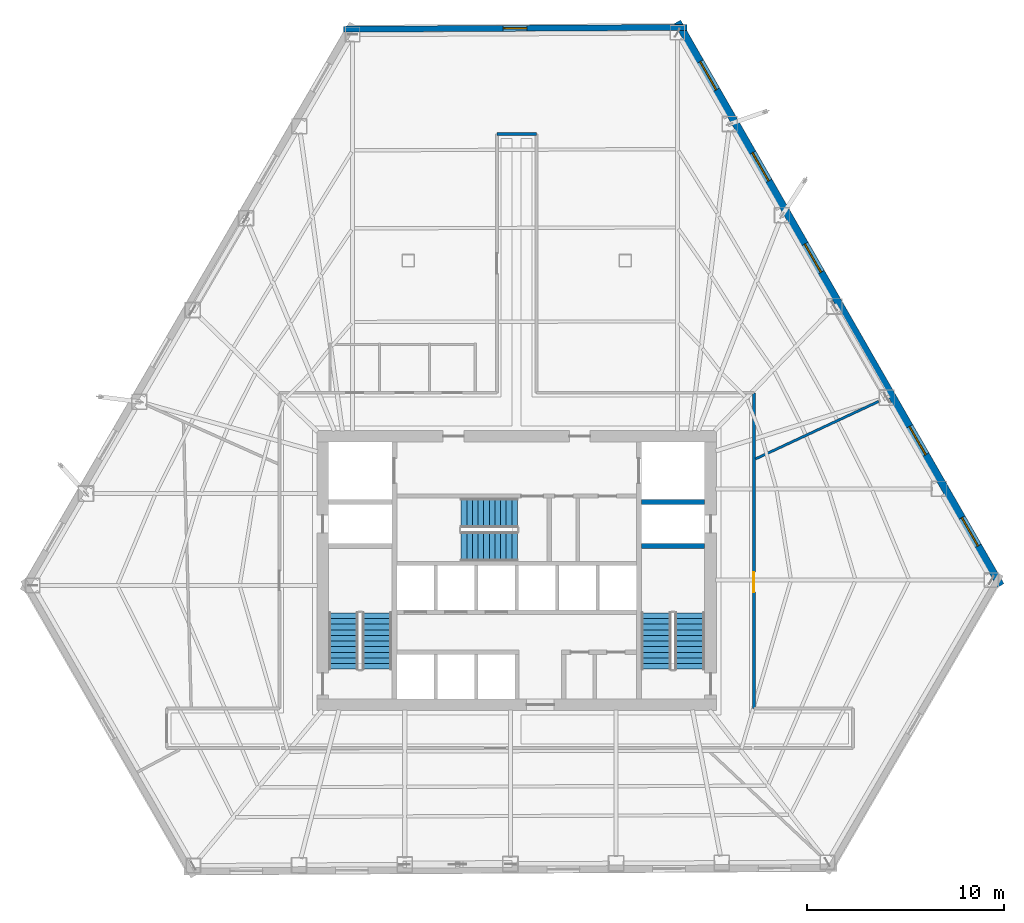
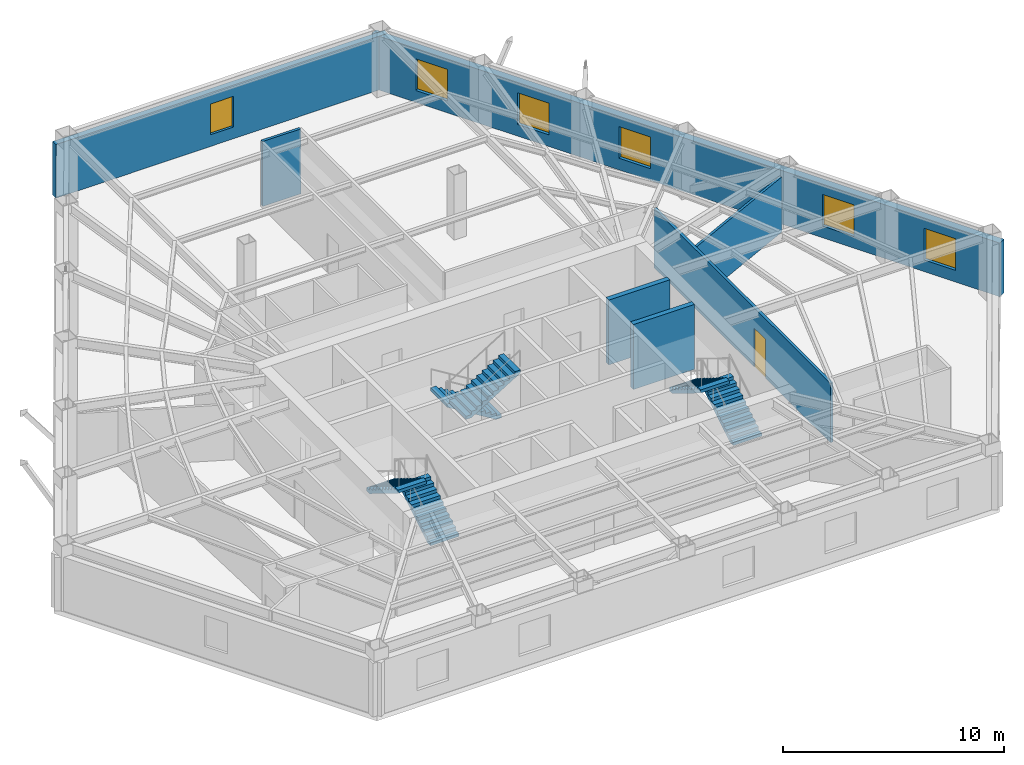
# One storey, part 10 of 12: 7 walls, 6 stair flights, 6 windows, 1 door, 7 openings, 3 elements without a shape of their own.
"""IFC4 building model written with IfcOpenShell, lengths in metres."""

from ifc_helpers import new_model, si_unit, direction, frame, frame_2d, origin, place, context, subcontext, project, spatial, polyline, rectangle, outline, extrude, material, layer, layer_set, type_object, element, fill, aggregate, save


model = new_model("IFC4")

# Units and contexts
model_context = context("Model", 3, precision=1e-05, world=origin(), true_north=direction((0.0, 1.0)))
body_context = subcontext(model_context, "Body", "Model", "MODEL_VIEW")
ifc_project = project(units=[si_unit("LENGTHUNIT", "METRE"), si_unit("AREAUNIT", "SQUARE_METRE"), si_unit("VOLUMEUNIT", "CUBIC_METRE"), si_unit("PLANEANGLEUNIT", "RADIAN"), si_unit("MASSUNIT", "GRAM", prefix="KILO")], contexts=[model_context])

# Site, building, storey
site_placement = place(None, origin())
site = spatial("IfcSite", under=ifc_project, at=site_placement, CompositionType="ELEMENT")
building_placement = place(site_placement, origin())
building = spatial("IfcBuilding", under=site, at=building_placement, Name="Kavelnor Concourse Tower", CompositionType="ELEMENT")
storey_placement = place(building_placement, frame((0.0, 0.0, 6.0)))
storey = spatial("IfcBuildingStorey", under=building, at=storey_placement, Name="L01", CompositionType="ELEMENT", Elevation=6.0)

# Wall, opening, window
ifc_material_1 = material(Name="Buff ironspot clay face brick masonry", Category="masonry")
ifc_layer_1 = layer(ifc_material_1, 0.300048828125, Name="Buff ironspot clay face brick masonry")
ifc_layer_set_1 = layer_set([ifc_layer_1], Name="Buff ironspot clay face brick masonry")
wall_type_1 = type_object("IfcWallType", Name="WL-EXT-BUFF-BRICK-FOLD-300", PredefinedType="STANDARD", material=ifc_layer_set_1)
wall_1_placement = place(storey_placement, frame((29.218505859375, 43.516357421875, 0.0), z_axis=(0.0, 0.0, 1.0), x_axis=(0.999985189192, 0.005442554299, 0.0)))
wall_1 = element("IfcWall", 1, at=wall_1_placement, inside=storey, type_object=wall_type_1, Name="L01 Exterior Brick Facade Wall E0", PredefinedType="STANDARD", context=body_context, shape_type="SweptSolid", body=[
    extrude(rectangle(XDim=17.40478515625, YDim=0.300048828125, at=frame_2d((8.702392578125, 0.0))), origin(), (0.0, 0.0, 1.0), 2.969970703125),
])
opening_1_placement = place(wall_1_placement, frame((8.102294921875, 0.0, 0.64990234375)))
opening_1 = element("IfcOpeningElement", 2, at=opening_1_placement, cuts=wall_1, Name="Opening W-05", PredefinedType="OPENING", context=body_context, shape_type="SweptSolid", body=[
    extrude(rectangle(XDim=1.199951171875, YDim=1.699951171875, at=frame_2d((0.60009765625, 0.85009765625))), frame((0.0, 0.16015625, 0.0), z_axis=(0.0, -1.0, 0.0), x_axis=(1.0, 0.0, 0.0)), (0.0, 0.0, 1.0), 0.320068359375),
])
ifc_material_2 = material(Name="Double low-E argon insulated glazing", Category="glass")
window_type_1 = type_object("IfcWindowType", Name="WIN-FOLD-1200", PartitioningType="SINGLE_PANEL", PredefinedType="WINDOW", material=ifc_material_2)
window_1_placement = place(opening_1_placement, origin())
window_1 = element("IfcWindow", 3, at=window_1_placement, inside=storey, type_object=window_type_1, Name="L01 Chamfer-Fold Facet Window C0", OverallHeight=1.699951171875, OverallWidth=1.199951171875, PartitioningType="SINGLE_PANEL", PredefinedType="WINDOW", context=body_context, shape_type="SweptSolid", body=[
    extrude(rectangle(XDim=1.199951171875, YDim=1.699951171875, at=frame_2d((0.60009765625, 0.85009765625))), frame((0.0, 0.030029296875, 0.0), z_axis=(0.0, -1.0, 0.0), x_axis=(1.0, 0.0, 0.0)), (0.0, 0.0, 1.0), 0.06005859375),
])
fill(opening_1, window_1)

# Wall, openings, windows
ifc_material_3 = material(Name="Red-ochre clay face brick masonry", Category="masonry")
ifc_layer_2 = layer(ifc_material_3, 0.3798828125, Name="Red-ochre clay face brick masonry")
ifc_layer_set_2 = layer_set([ifc_layer_2], Name="Red-ochre clay face brick masonry")
wall_type_2 = type_object("IfcWallType", Name="WL-EXT-RED-BRICK-PIER-380", PredefinedType="STANDARD", material=ifc_layer_set_2)
wall_2_placement = place(storey_placement, frame((46.14013671875, 43.88916015625, 0.0), z_axis=(0.0, 0.0, 1.0), x_axis=(0.497625280375, -0.86739211452, 0.0)))
wall_2 = element("IfcWall", 4, at=wall_2_placement, inside=storey, type_object=wall_type_2, Name="L01 Exterior Brick Facade Wall E5", PredefinedType="STANDARD", context=body_context, shape_type="SweptSolid", body=[
    extrude(rectangle(XDim=32.9208984375, YDim=0.3798828125, at=frame_2d((16.46044921875, 0.0))), origin(), (0.0, 0.0, 1.0), 2.969970703125),
])
opening_2_placement = place(wall_2_placement, frame((28.955078125, 0.0, 0.64990234375)))
opening_2 = element("IfcOpeningElement", 5, at=opening_2_placement, cuts=wall_2, Name="Opening W-01", PredefinedType="OPENING", context=body_context, shape_type="SweptSolid", body=[
    extrude(rectangle(XDim=1.64990234375, YDim=1.75, at=frame_2d((0.824951171875, 0.875))), frame((0.0, 0.199951171875, 0.0), z_axis=(0.0, -1.0, 0.0), x_axis=(1.0, 0.0, 0.0)), (0.0, 0.0, 1.0), 0.39990234375),
])
opening_3_placement = place(wall_2_placement, frame((23.6279296875, 0.0, 0.64990234375)))
opening_3 = element("IfcOpeningElement", 6, at=opening_3_placement, cuts=wall_2, Name="Opening W-01", PredefinedType="OPENING", context=body_context, shape_type="SweptSolid", body=[
    extrude(rectangle(XDim=1.64990234375, YDim=1.75, at=frame_2d((0.824951171875, 0.875))), frame((0.0, 0.199951171875, 0.0), z_axis=(0.0, -1.0, 0.0), x_axis=(1.0, 0.0, 0.0)), (0.0, 0.0, 1.0), 0.39990234375),
])
opening_4_placement = place(wall_2_placement, frame((12.97314453125, 0.0, 0.64990234375)))
opening_4 = element("IfcOpeningElement", 7, at=opening_4_placement, cuts=wall_2, Name="Opening W-01", PredefinedType="OPENING", context=body_context, shape_type="SweptSolid", body=[
    extrude(rectangle(XDim=1.64990234375, YDim=1.75, at=frame_2d((0.824951171875, 0.875))), frame((0.0, 0.199951171875, 0.0), z_axis=(0.0, -1.0, 0.0), x_axis=(1.0, 0.0, 0.0)), (0.0, 0.0, 1.0), 0.39990234375),
])
opening_5_placement = place(wall_2_placement, frame((7.645751953125, 0.0, 0.64990234375)))
opening_5 = element("IfcOpeningElement", 8, at=opening_5_placement, cuts=wall_2, Name="Opening W-01", PredefinedType="OPENING", context=body_context, shape_type="SweptSolid", body=[
    extrude(rectangle(XDim=1.64990234375, YDim=1.75, at=frame_2d((0.824951171875, 0.875))), frame((0.0, 0.199951171875, 0.0), z_axis=(0.0, -1.0, 0.0), x_axis=(1.0, 0.0, 0.0)), (0.0, 0.0, 1.0), 0.39990234375),
])
opening_6_placement = place(wall_2_placement, frame((2.318603515625, 0.0, 0.64990234375)))
opening_6 = element("IfcOpeningElement", 9, at=opening_6_placement, cuts=wall_2, Name="Opening W-01", PredefinedType="OPENING", context=body_context, shape_type="SweptSolid", body=[
    extrude(rectangle(XDim=1.64990234375, YDim=1.75, at=frame_2d((0.824951171875, 0.875))), frame((0.0, 0.199951171875, 0.0), z_axis=(0.0, -1.0, 0.0), x_axis=(1.0, 0.0, 0.0)), (0.0, 0.0, 1.0), 0.39990234375),
])
window_type_2 = type_object("IfcWindowType", Name="WIN-PIER-Z1-1800", PartitioningType="SINGLE_PANEL", PredefinedType="WINDOW", material=ifc_material_2)
window_2_placement = place(opening_2_placement, origin())
window_2 = element("IfcWindow", 10, at=window_2_placement, inside=storey, type_object=window_type_2, Name="L01 Deep-Set Brick Pier Window F2-B0", OverallHeight=1.75, OverallWidth=1.64990234375, PartitioningType="SINGLE_PANEL", PredefinedType="WINDOW", context=body_context, shape_type="SweptSolid", body=[
    extrude(rectangle(XDim=1.64990234375, YDim=1.75, at=frame_2d((0.824951171875, 0.875))), frame((0.0, 0.030029296875, 0.0), z_axis=(0.0, -1.0, 0.0), x_axis=(1.0, 0.0, 0.0)), (0.0, 0.0, 1.0), 0.06005859375),
])
fill(opening_2, window_2)
window_3_placement = place(opening_3_placement, origin())
window_3 = element("IfcWindow", 11, at=window_3_placement, inside=storey, type_object=window_type_2, Name="L01 Deep-Set Brick Pier Window F2-B1", OverallHeight=1.75, OverallWidth=1.64990234375, PartitioningType="SINGLE_PANEL", PredefinedType="WINDOW", context=body_context, shape_type="SweptSolid", body=[
    extrude(rectangle(XDim=1.64990234375, YDim=1.75, at=frame_2d((0.824951171875, 0.875))), frame((0.0, 0.030029296875, 0.0), z_axis=(0.0, -1.0, 0.0), x_axis=(1.0, 0.0, 0.0)), (0.0, 0.0, 1.0), 0.06005859375),
])
fill(opening_3, window_3)
window_4_placement = place(opening_4_placement, origin())
window_4 = element("IfcWindow", 12, at=window_4_placement, inside=storey, type_object=window_type_2, Name="L01 Deep-Set Brick Pier Window F2-B3", OverallHeight=1.75, OverallWidth=1.64990234375, PartitioningType="SINGLE_PANEL", PredefinedType="WINDOW", context=body_context, shape_type="SweptSolid", body=[
    extrude(rectangle(XDim=1.64990234375, YDim=1.75, at=frame_2d((0.824951171875, 0.875))), frame((0.0, 0.030029296875, 0.0), z_axis=(0.0, -1.0, 0.0), x_axis=(1.0, 0.0, 0.0)), (0.0, 0.0, 1.0), 0.06005859375),
])
fill(opening_4, window_4)
window_5_placement = place(opening_5_placement, origin())
window_5 = element("IfcWindow", 13, at=window_5_placement, inside=storey, type_object=window_type_2, Name="L01 Deep-Set Brick Pier Window F2-B4", OverallHeight=1.75, OverallWidth=1.64990234375, PartitioningType="SINGLE_PANEL", PredefinedType="WINDOW", context=body_context, shape_type="SweptSolid", body=[
    extrude(rectangle(XDim=1.64990234375, YDim=1.75, at=frame_2d((0.824951171875, 0.875))), frame((0.0, 0.030029296875, 0.0), z_axis=(0.0, -1.0, 0.0), x_axis=(1.0, 0.0, 0.0)), (0.0, 0.0, 1.0), 0.06005859375),
])
fill(opening_5, window_5)
window_6_placement = place(opening_6_placement, origin())
window_6 = element("IfcWindow", 14, at=window_6_placement, inside=storey, type_object=window_type_2, Name="L01 Deep-Set Brick Pier Window F2-B5", OverallHeight=1.75, OverallWidth=1.64990234375, PartitioningType="SINGLE_PANEL", PredefinedType="WINDOW", context=body_context, shape_type="SweptSolid", body=[
    extrude(rectangle(XDim=1.64990234375, YDim=1.75, at=frame_2d((0.824951171875, 0.875))), frame((0.0, 0.030029296875, 0.0), z_axis=(0.0, -1.0, 0.0), x_axis=(1.0, 0.0, 0.0)), (0.0, 0.0, 1.0), 0.06005859375),
])
fill(opening_6, window_6)

# Wall
ifc_material_4 = material(Name="Gypsum plasterboard on light-gauge steel studs", Category="steel")
ifc_layer_3 = layer(ifc_material_4, 0.14501953125, Name="Gypsum plasterboard on light-gauge steel studs")
ifc_layer_set_3 = layer_set([ifc_layer_3], Name="Gypsum plasterboard on light-gauge steel studs")
wall_type_3 = type_object("IfcWallType", Name="WL-INT-CORR-145", PredefinedType="PARTITIONING", material=ifc_layer_set_3)
wall_3_placement = place(storey_placement, frame((37.0, 38.199951171875, 0.0), z_axis=(0.0, 0.0, 1.0), x_axis=(1.0, 0.0, 0.0)))
element("IfcWall", 15, at=wall_3_placement, inside=storey, type_object=wall_type_3, Name="L01 Corridor Wall WL-L01-CR-05", PredefinedType="PARTITIONING", context=body_context, shape_type="SweptSolid", body=[
    extrude(rectangle(XDim=2.0, YDim=0.14501953125, at=frame_2d((1.0, 0.0))), origin(), (0.0, 0.0, 1.0), 3.590087890625),
])

# Wall, opening, door
wall_4_placement = place(storey_placement, frame((50.02001953125, 25.10009765625, 0.0), z_axis=(0.0, 0.0, 1.0), x_axis=(0.0, -1.0, 0.0)))
wall_4 = element("IfcWall", 16, at=wall_4_placement, inside=storey, type_object=wall_type_3, Name="L01 Corridor Wall WL-L01-CR-08", PredefinedType="PARTITIONING", context=body_context, shape_type="SweptSolid", body=[
    extrude(rectangle(XDim=16.0, YDim=0.14501953125, at=frame_2d((8.0, 0.0))), origin(), (0.0, 0.0, 1.0), 3.278076171875),
])
opening_7_placement = place(wall_4_placement, frame((9.08154296875, 0.0, 0.0)))
opening_7 = element("IfcOpeningElement", 17, at=opening_7_placement, cuts=wall_4, Name="Opening MD-102", PredefinedType="OPENING", context=body_context, shape_type="SweptSolid", body=[
    extrude(rectangle(XDim=1.02001953125, YDim=2.14990234375, at=frame_2d((0.510009765625, 1.074951171875))), frame((0.0, 0.08251953125, 0.0), z_axis=(0.0, -1.0, 0.0), x_axis=(1.0, 0.0, 0.0)), (0.0, 0.0, 1.0), 0.1650390625),
])
ifc_material_5 = material(Name="Acoustic glazed timber frame", Category="wood")
door_type = type_object("IfcDoorType", Name="DR-MEETING-1020", OperationType="NOTDEFINED", PredefinedType="DOOR", material=ifc_material_5)
door_placement = place(opening_7_placement, origin())
door = element("IfcDoor", 18, at=door_placement, inside=storey, type_object=door_type, Name="L01 Client Boardroom 05 Door", OperationType="SINGLE_SWING_LEFT", OverallHeight=2.14990234375, OverallWidth=1.02001953125, PredefinedType="DOOR", context=body_context, shape_type="SweptSolid", body=[
    extrude(rectangle(XDim=1.02001953125, YDim=2.14990234375, at=frame_2d((0.510009765625, 1.074951171875))), frame((0.0, 0.02490234375, 0.0), z_axis=(0.0, -1.0, 0.0), x_axis=(1.0, 0.0, 0.0)), (0.0, 0.0, 1.0), 0.050048828125),
])
fill(opening_7, door)

# Walls
ifc_layer_4 = layer(ifc_material_4, 0.125, Name="Gypsum plasterboard on light-gauge steel studs")
ifc_layer_set_4 = layer_set([ifc_layer_4], Name="Gypsum plasterboard on light-gauge steel studs")
wall_type_4 = type_object("IfcWallType", Name="WL-INT-SUITE-125", PredefinedType="PARTITIONING", material=ifc_layer_set_4)
wall_5_placement = place(storey_placement, frame((50.1005859375, 21.75048828125, 0.0), z_axis=(0.0, 0.0, 1.0), x_axis=(0.906074434546, 0.423118327494, 0.0)))
element("IfcWall", 19, at=wall_5_placement, inside=storey, type_object=wall_type_4, Name="L01 Radial Suite Partition 01", PredefinedType="PARTITIONING", context=body_context, shape_type="SweptSolid", body=[
    extrude(rectangle(XDim=6.88720703125, YDim=0.125, at=frame_2d((3.443603515625, 0.0))), origin(), (0.0, 0.0, 1.0), 3.056884765625),
])
ifc_material_6 = material(Name="Concrete C50/60", Category="concrete")
ifc_layer_5 = layer(ifc_material_6, 0.260009765625, Name="Concrete C50/60")
ifc_layer_set_5 = layer_set([ifc_layer_5], Name="Concrete C50/60")
wall_type_5 = type_object("IfcWallType", Name="WL-SHAFT-260", PredefinedType="SHEAR", material=ifc_layer_set_5)
for number, where, z_axis, x_axis, name in (
    (20, (44.320068359375, 17.330078125, 0.0), (0.0, 0.0, 1.0), (1.0, 0.0, 0.0), "L01 Stair ST2 North Shaft Wall"),
    (21, (44.320068359375, 19.570068359375, 0.0), (0.0, 0.0, 1.0), (1.0, 0.0, 0.0), "L01 Emergency Lift FL2 South Shaft Wall"),
):
    element("IfcWall", number, at=place(storey_placement, frame(where, z_axis=z_axis, x_axis=x_axis)), inside=storey, type_object=wall_type_5, Name=name, PredefinedType="SHEAR", context=body_context, shape_type="SweptSolid", body=[
        extrude(rectangle(XDim=3.199951171875, YDim=0.260009765625, at=frame_2d((1.60009765625, 0.0))), origin(), (0.0, 0.0, 1.0), 3.590087890625),
    ])

# Stair, stair flights
ifc_material_7 = material(Name="Concrete C40/50", Category="concrete")
stair_type = type_object("IfcStairType", Name="STR-CORE-1500", PredefinedType="HALF_TURN_STAIR", material=ifc_material_7)
stair_1_placement = place(storey_placement, origin())
stair_1 = element("IfcStair", 22, at=stair_1_placement, inside=storey, type_object=stair_type, Name="L01 ST1", PredefinedType="HALF_TURN_STAIR")
stair_flight_type = type_object("IfcStairFlightType", Name="STR-FLIGHT-1500", PredefinedType="STRAIGHT", material=ifc_material_7)
stair_flight_1_placement = place(storey_placement, frame((30.929931640625, 11.10009765625, 0.0), z_axis=(0.0, 0.0, 1.0), x_axis=(0.0, 1.0, 0.0)))
stair_flight_1 = element("IfcStairFlight", 23, at=stair_flight_1_placement, type_object=stair_flight_type, Name="ST1 flight 1", NumberOfRisers=11, NumberOfTreads=10, PredefinedType="STRAIGHT", RiserHeight=0.175, TreadLength=0.285, context=body_context, shape_type="SweptSolid", body=[
    extrude(outline(polyline([(0.0, 0.0), (0.0, 0.175048828125), (0.284912109375, 0.175048828125), (0.284912109375, 0.35009765625), (0.570068359375, 0.35009765625), (0.570068359375, 0.52490234375), (0.85498046875, 0.52490234375), (0.85498046875, 0.699951171875), (1.139892578125, 0.699951171875), (1.139892578125, 0.875), (1.425048828125, 0.875), (1.425048828125, 1.050048828125), (1.7099609375, 1.050048828125), (1.7099609375, 1.22509765625), (1.9951171875, 1.22509765625), (1.9951171875, 1.39990234375), (2.280029296875, 1.39990234375), (2.280029296875, 1.574951171875), (2.56494140625, 1.574951171875), (2.56494140625, 1.75), (2.85009765625, 1.75), (2.85009765625, 1.925048828125), (2.85009765625, 1.573974609375), (0.286376953125, 0.0), (0.0, 0.0)])), frame((0.0, 0.75, 0.0), z_axis=(0.0, -1.0, 0.0), x_axis=(1.0, 0.0, 0.0)), (0.0, 0.0, 1.0), 1.5),
])
stair_flight_2_placement = place(storey_placement, frame((29.22998046875, 13.949951171875, 1.925048828125), z_axis=(0.0, 0.0, 1.0), x_axis=(0.0, -1.0, 0.0)))
stair_flight_2 = element("IfcStairFlight", 24, at=stair_flight_2_placement, type_object=stair_flight_type, Name="ST1 flight 2", NumberOfRisers=11, NumberOfTreads=10, PredefinedType="STRAIGHT", RiserHeight=0.175, TreadLength=0.285, context=body_context, shape_type="SweptSolid", body=[
    extrude(outline(polyline([(0.0, 0.0), (0.0, 0.175048828125), (0.284912109375, 0.175048828125), (0.284912109375, 0.35009765625), (0.570068359375, 0.35009765625), (0.570068359375, 0.52490234375), (0.85498046875, 0.52490234375), (0.85498046875, 0.699951171875), (1.139892578125, 0.699951171875), (1.139892578125, 0.875), (1.425048828125, 0.875), (1.425048828125, 1.050048828125), (1.7099609375, 1.050048828125), (1.7099609375, 1.22509765625), (1.9951171875, 1.22509765625), (1.9951171875, 1.39990234375), (2.280029296875, 1.39990234375), (2.280029296875, 1.574951171875), (2.56494140625, 1.574951171875), (2.56494140625, 1.75), (2.85009765625, 1.75), (2.85009765625, 1.925048828125), (2.85009765625, 1.573974609375), (0.286376953125, 0.0), (0.0, 0.0)])), frame((0.0, 0.75, 0.0), z_axis=(0.0, -1.0, 0.0), x_axis=(1.0, 0.0, 0.0)), (0.0, 0.0, 1.0), 1.5),
])
aggregate(stair_1, [stair_flight_1, stair_flight_2])

stair_2_placement = place(storey_placement, origin())
stair_2 = element("IfcStair", 25, at=stair_2_placement, inside=storey, type_object=stair_type, Name="L01 ST2", PredefinedType="HALF_TURN_STAIR")
stair_flight_3_placement = place(storey_placement, frame((46.77001953125, 11.10009765625, 0.0), z_axis=(0.0, 0.0, 1.0), x_axis=(0.0, 1.0, 0.0)))
stair_flight_3 = element("IfcStairFlight", 26, at=stair_flight_3_placement, type_object=stair_flight_type, Name="ST2 flight 1", NumberOfRisers=11, NumberOfTreads=10, PredefinedType="STRAIGHT", RiserHeight=0.175, TreadLength=0.285, context=body_context, shape_type="SweptSolid", body=[
    extrude(outline(polyline([(0.0, 0.0), (0.0, 0.175048828125), (0.284912109375, 0.175048828125), (0.284912109375, 0.35009765625), (0.570068359375, 0.35009765625), (0.570068359375, 0.52490234375), (0.85498046875, 0.52490234375), (0.85498046875, 0.699951171875), (1.139892578125, 0.699951171875), (1.139892578125, 0.875), (1.425048828125, 0.875), (1.425048828125, 1.050048828125), (1.7099609375, 1.050048828125), (1.7099609375, 1.22509765625), (1.9951171875, 1.22509765625), (1.9951171875, 1.39990234375), (2.280029296875, 1.39990234375), (2.280029296875, 1.574951171875), (2.56494140625, 1.574951171875), (2.56494140625, 1.75), (2.85009765625, 1.75), (2.85009765625, 1.925048828125), (2.85009765625, 1.573974609375), (0.286376953125, 0.0), (0.0, 0.0)])), frame((0.0, 0.75, 0.0), z_axis=(0.0, -1.0, 0.0), x_axis=(1.0, 0.0, 0.0)), (0.0, 0.0, 1.0), 1.5),
])
stair_flight_4_placement = place(storey_placement, frame((45.070068359375, 13.949951171875, 1.925048828125), z_axis=(0.0, 0.0, 1.0), x_axis=(0.0, -1.0, 0.0)))
stair_flight_4 = element("IfcStairFlight", 27, at=stair_flight_4_placement, type_object=stair_flight_type, Name="ST2 flight 2", NumberOfRisers=11, NumberOfTreads=10, PredefinedType="STRAIGHT", RiserHeight=0.175, TreadLength=0.285, context=body_context, shape_type="SweptSolid", body=[
    extrude(outline(polyline([(0.0, 0.0), (0.0, 0.175048828125), (0.284912109375, 0.175048828125), (0.284912109375, 0.35009765625), (0.570068359375, 0.35009765625), (0.570068359375, 0.52490234375), (0.85498046875, 0.52490234375), (0.85498046875, 0.699951171875), (1.139892578125, 0.699951171875), (1.139892578125, 0.875), (1.425048828125, 0.875), (1.425048828125, 1.050048828125), (1.7099609375, 1.050048828125), (1.7099609375, 1.22509765625), (1.9951171875, 1.22509765625), (1.9951171875, 1.39990234375), (2.280029296875, 1.39990234375), (2.280029296875, 1.574951171875), (2.56494140625, 1.574951171875), (2.56494140625, 1.75), (2.85009765625, 1.75), (2.85009765625, 1.925048828125), (2.85009765625, 1.573974609375), (0.286376953125, 0.0), (0.0, 0.0)])), frame((0.0, 0.75, 0.0), z_axis=(0.0, -1.0, 0.0), x_axis=(1.0, 0.0, 0.0)), (0.0, 0.0, 1.0), 1.5),
])
aggregate(stair_2, [stair_flight_3, stair_flight_4])

stair_3_placement = place(storey_placement, origin())
stair_3 = element("IfcStair", 28, at=stair_3_placement, inside=storey, type_object=stair_type, Name="L01 ST3", PredefinedType="HALF_TURN_STAIR")
stair_flight_5_placement = place(storey_placement, frame((38.0400390625, 19.010009765625, 0.0), z_axis=(0.0, 0.0, 1.0), x_axis=(-1.0, 0.0, 0.0)))
stair_flight_5 = element("IfcStairFlight", 29, at=stair_flight_5_placement, type_object=stair_flight_type, Name="ST3 flight 1", NumberOfRisers=11, NumberOfTreads=10, PredefinedType="STRAIGHT", RiserHeight=0.175, TreadLength=0.285, context=body_context, shape_type="SweptSolid", body=[
    extrude(outline(polyline([(0.0, 0.0), (0.0, 0.175048828125), (0.284912109375, 0.175048828125), (0.284912109375, 0.35009765625), (0.570068359375, 0.35009765625), (0.570068359375, 0.52490234375), (0.85498046875, 0.52490234375), (0.85498046875, 0.699951171875), (1.139892578125, 0.699951171875), (1.139892578125, 0.875), (1.425048828125, 0.875), (1.425048828125, 1.050048828125), (1.7099609375, 1.050048828125), (1.7099609375, 1.22509765625), (1.9951171875, 1.22509765625), (1.9951171875, 1.39990234375), (2.280029296875, 1.39990234375), (2.280029296875, 1.574951171875), (2.56494140625, 1.574951171875), (2.56494140625, 1.75), (2.85009765625, 1.75), (2.85009765625, 1.925048828125), (2.85009765625, 1.573974609375), (0.286376953125, 0.0), (0.0, 0.0)])), frame((0.0, 0.75, 0.0), z_axis=(0.0, -1.0, 0.0), x_axis=(1.0, 0.0, 0.0)), (0.0, 0.0, 1.0), 1.5),
])
stair_flight_6_placement = place(storey_placement, frame((35.18994140625, 17.31005859375, 1.925048828125), z_axis=(0.0, 0.0, 1.0), x_axis=(1.0, 0.0, 0.0)))
stair_flight_6 = element("IfcStairFlight", 30, at=stair_flight_6_placement, type_object=stair_flight_type, Name="ST3 flight 2", NumberOfRisers=11, NumberOfTreads=10, PredefinedType="STRAIGHT", RiserHeight=0.175, TreadLength=0.285, context=body_context, shape_type="SweptSolid", body=[
    extrude(outline(polyline([(0.0, 0.0), (0.0, 0.175048828125), (0.284912109375, 0.175048828125), (0.284912109375, 0.35009765625), (0.570068359375, 0.35009765625), (0.570068359375, 0.52490234375), (0.85498046875, 0.52490234375), (0.85498046875, 0.699951171875), (1.139892578125, 0.699951171875), (1.139892578125, 0.875), (1.425048828125, 0.875), (1.425048828125, 1.050048828125), (1.7099609375, 1.050048828125), (1.7099609375, 1.22509765625), (1.9951171875, 1.22509765625), (1.9951171875, 1.39990234375), (2.280029296875, 1.39990234375), (2.280029296875, 1.574951171875), (2.56494140625, 1.574951171875), (2.56494140625, 1.75), (2.85009765625, 1.75), (2.85009765625, 1.925048828125), (2.85009765625, 1.573974609375), (0.286376953125, 0.0), (0.0, 0.0)])), frame((0.0, 0.75, 0.0), z_axis=(0.0, -1.0, 0.0), x_axis=(1.0, 0.0, 0.0)), (0.0, 0.0, 1.0), 1.5),
])
aggregate(stair_3, [stair_flight_5, stair_flight_6])

save(model, "model.ifc")
